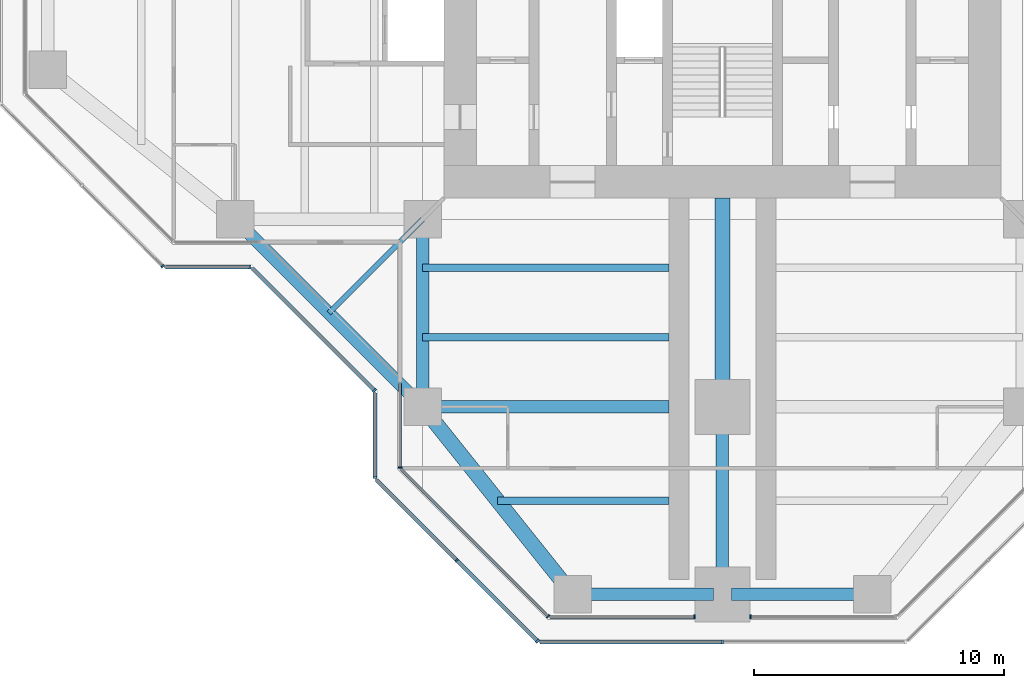
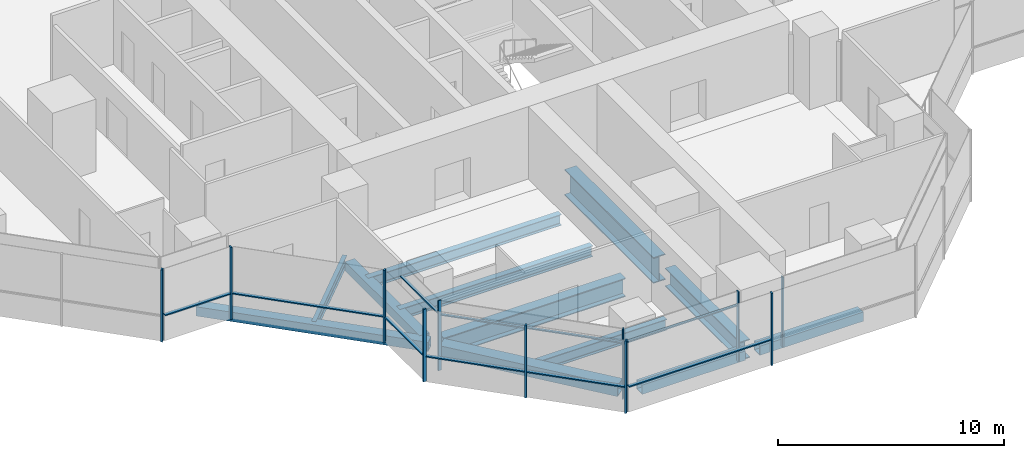
# One storey, part 2 of 17: 20 members, 12 beams, 10 elements without a shape of their own.
"""IFC4 building model written with IfcOpenShell, lengths in metres."""

from ifc_helpers import new_model, si_unit, direction, frame, origin, origin_2d, place, context, subcontext, project, spatial, rectangle, hollow_rectangle, i_section, extrude, material, material_profile, profile_set, type_object, element, aggregate, save


model = new_model("IFC4")

# Units and contexts
model_context = context("Model", 3, precision=1e-05, world=origin(), true_north=direction((0.0, 1.0)))
body_context = subcontext(model_context, "Body", "Model", "MODEL_VIEW")
ifc_project = project(units=[si_unit("LENGTHUNIT", "METRE"), si_unit("AREAUNIT", "SQUARE_METRE"), si_unit("VOLUMEUNIT", "CUBIC_METRE"), si_unit("PLANEANGLEUNIT", "RADIAN"), si_unit("MASSUNIT", "GRAM", prefix="KILO")], contexts=[model_context])

# Site, building, storey
site_placement = place(None, origin())
site = spatial("IfcSite", under=ifc_project, at=site_placement, CompositionType="ELEMENT")
building_placement = place(site_placement, origin())
building = spatial("IfcBuilding", under=site, at=building_placement, Name="Mizan Broadcast Tower", CompositionType="ELEMENT")
storey_placement = place(building_placement, frame((0.0, 0.0, 247.800048828125)))
storey = spatial("IfcBuildingStorey", under=building, at=storey_placement, Name="L58", CompositionType="ELEMENT", Elevation=247.800048828125)

# Beams
ifc_material_1 = material(Name="Steel S355", Category="steel")
ifc_material_profile_1 = material_profile(ifc_material_1, hollow_rectangle(XDim=0.5, YDim=0.5, WallThickness=0.030029296875, at=origin_2d()), Name="BOX 500x500x30")
ifc_profile_set_1 = profile_set([ifc_material_profile_1], Name="Steel S355")
beam_type_1 = type_object("IfcBeamType", Name="EDGE BEAM BOX 500x500x30", PredefinedType="SPANDREL", material=ifc_profile_set_1)
beam_1_placement = place(storey_placement, frame((-12.0, -12.449951171875, -0.380126953125), z_axis=(0.0, -1.0, 0.0), x_axis=(1.0, 0.0, 0.0)))
element("IfcBeam", 1, at=beam_1_placement, inside=storey, type_object=beam_type_1, Name="Edge beam BOX 500x500x30 L58 south arm", PredefinedType="SPANDREL", context=body_context, shape_type="SweptSolid", body=[
    extrude(hollow_rectangle(XDim=0.5, YDim=0.5, WallThickness=0.030029296875, at=origin_2d()), origin(), (0.0, 0.0, 1.0), 6.60009765625),
])
for number, where, z_axis, x_axis, name in (
    (2, (-5.639892578125, -27.0, -0.380126953125), (1.0, 0.0, 0.0), (0.0, 1.0, 0.0), "Edge beam BOX 500x500x30 L58 south arm"),
    (3, (5.639892578125, -27.0, -0.380126953125), (-1.0, 0.0, 0.0), (0.0, -1.0, 0.0), "Edge beam BOX 500x500x30 L58 south arm"),
):
    element("IfcBeam", number, at=place(storey_placement, frame(where, z_axis=z_axis, x_axis=x_axis)), inside=storey, type_object=beam_type_1, Name=name, PredefinedType="SPANDREL", context=body_context, shape_type="SweptSolid", body=[
        extrude(hollow_rectangle(XDim=0.5, YDim=0.5, WallThickness=0.030029296875, at=origin_2d()), origin(), (0.0, 0.0, 1.0), 5.27978515625),
    ])
beam_2_placement = place(storey_placement, frame((-19.5, -12.0, -0.380126953125), z_axis=(0.707106781187, -0.707106781187, 0.0), x_axis=(0.707106781187, 0.707106781187, 0.0)))
element("IfcBeam", 4, at=beam_2_placement, inside=storey, type_object=beam_type_1, Name="Winter garden edge beam L58 W", PredefinedType="SPANDREL", context=body_context, shape_type="SweptSolid", body=[
    extrude(hollow_rectangle(XDim=0.5, YDim=0.5, WallThickness=0.030029296875, at=origin_2d()), origin(), (0.0, 0.0, 1.0), 10.606689453125),
])
ifc_material_2 = material(Name="Steel S355", Category="steel")
ifc_material_profile_2 = material_profile(ifc_material_2, hollow_rectangle(XDim=0.60009765625, YDim=0.60009765625, WallThickness=0.030029296875, at=origin_2d()), Name="BOX 600x600x30")
ifc_profile_set_2 = profile_set([ifc_material_profile_2], Name="Steel S355")
beam_type_2 = type_object("IfcBeamType", Name="EDGE BEAM BOX 600x600x30", PredefinedType="SPANDREL", material=ifc_profile_set_2)
beam_3_placement = place(storey_placement, frame((-11.639892578125, -19.949951171875, -0.429931640625), z_axis=(0.624673911726, -0.780885717636, 0.0), x_axis=(0.780885717636, 0.624673911726, 0.0)))
element("IfcBeam", 5, at=beam_3_placement, inside=storey, type_object=beam_type_2, Name="Edge beam BOX 600x600x30 L58 south arm", PredefinedType="SPANDREL", context=body_context, shape_type="SweptSolid", body=[
    extrude(hollow_rectangle(XDim=0.60009765625, YDim=0.60009765625, WallThickness=0.030029296875, at=origin_2d()), origin(), (0.0, 0.0, 1.0), 8.4521484375),
])
ifc_material_3 = material(Name="Steel S460", Category="steel")
ifc_material_profile_3 = material_profile(ifc_material_3, i_section(OverallWidth=0.5, OverallDepth=1.0, WebThickness=0.02490234375, FlangeThickness=0.050048828125, at=origin_2d()), Name="WPG 1000x500")
ifc_profile_set_3 = profile_set([ifc_material_profile_3], Name="Steel S460")
beam_type_3 = type_object("IfcBeamType", Name="GIRDER WPG 1000x500", PredefinedType="BEAM", material=ifc_profile_set_3)
beam_4_placement = place(storey_placement, frame((0.0, -19.949951171875, -0.630126953125), z_axis=(0.0, -1.0, 0.0), x_axis=(1.0, 0.0, 0.0)))
element("IfcBeam", 6, at=beam_4_placement, inside=storey, type_object=beam_type_3, Name="Girder WPG 1000x500 L58 south arm", PredefinedType="BEAM", context=body_context, shape_type="SweptSolid", body=[
    extrude(i_section(OverallWidth=0.5, OverallDepth=1.0, WebThickness=0.02490234375, FlangeThickness=0.050048828125, at=origin_2d()), origin(), (0.0, 0.0, 1.0), 6.60009765625),
])
beam_5_placement = place(storey_placement, frame((-11.408935546875, -19.5, -0.630126953125), z_axis=(1.0, 0.0, 0.0), x_axis=(0.0, 1.0, 0.0)))
element("IfcBeam", 7, at=beam_5_placement, inside=storey, type_object=beam_type_3, Name="Girder WPG 1000x500 L58 south arm", PredefinedType="BEAM", context=body_context, shape_type="SweptSolid", body=[
    extrude(i_section(OverallWidth=0.5, OverallDepth=1.0, WebThickness=0.02490234375, FlangeThickness=0.050048828125, at=origin_2d()), origin(), (0.0, 0.0, 1.0), 9.259033203125),
])
ifc_material_4 = material(Name="Steel S460", Category="steel")
ifc_material_profile_4 = material_profile(ifc_material_4, i_section(OverallWidth=0.60009765625, OverallDepth=1.39990234375, WebThickness=0.02490234375, FlangeThickness=0.06005859375, at=origin_2d()), Name="WPG 1400x600")
ifc_profile_set_4 = profile_set([ifc_material_profile_4], Name="Steel S460")
beam_type_4 = type_object("IfcBeamType", Name="GIRDER WPG 1400x600", PredefinedType="BEAM", material=ifc_profile_set_4)
beam_6_placement = place(storey_placement, frame((0.0, -11.14990234375, -0.830078125), z_axis=(0.0, -1.0, 0.0), x_axis=(1.0, 0.0, 0.0)))
element("IfcBeam", 8, at=beam_6_placement, inside=storey, type_object=beam_type_4, Name="Girder WPG 1400x600 L58 south arm", PredefinedType="BEAM", context=body_context, shape_type="SweptSolid", body=[
    extrude(i_section(OverallWidth=0.60009765625, OverallDepth=1.39990234375, WebThickness=0.02490234375, FlangeThickness=0.06005859375, at=origin_2d()), origin(), (0.0, 0.0, 1.0), 7.84912109375),
])

# Curtain wall, member
ifc_material_5 = material(Name="Aluminium framed glazing", Category="aluminium")
curtain_wall_type_1 = type_object("IfcCurtainWallType", Name="INNER SKIN HIGH ZONE", PredefinedType="USERDEFINED", material=ifc_material_5)
curtain_wall_1_placement = place(storey_placement, origin())
curtain_wall_1 = element("IfcCurtainWall", 9, at=curtain_wall_1_placement, inside=storey, type_object=curtain_wall_type_1, Name="Inner skin high zone L58 S side", ObjectType="INNER SKIN HIGH ZONE", PredefinedType="USERDEFINED")
ifc_material_6 = material(Name="Aluminium, pale anodised", Category="aluminium")
ifc_material_profile_5 = material_profile(ifc_material_6, rectangle(XDim=0.159912109375, YDim=0.06005859375, at=origin_2d()), Name="MULLION 160x60")
ifc_profile_set_5 = profile_set([ifc_material_profile_5], Name="Aluminium, pale anodised")
member_type_1 = type_object("IfcMemberType", Name="INNER SKIN MULLION 60x160", PredefinedType="MULLION", material=ifc_profile_set_5)
member_1_placement = place(storey_placement, frame((-12.89990234375, -21.928466796875, 0.0), z_axis=(0.0, 0.0, 1.0), x_axis=(1.0, 0.0, 0.0)))
member_1 = element("IfcMember", 10, at=member_1_placement, type_object=member_type_1, Name="Inner skin high zone L58 S side mullion 2", PredefinedType="MULLION", context=body_context, shape_type="SweptSolid", body=[
    extrude(rectangle(XDim=0.159912109375, YDim=0.06005859375, at=origin_2d()), origin(), (0.0, 0.0, 1.0), 3.77001953125),
])

curtain_wall_2_placement = place(storey_placement, origin())
curtain_wall_2 = element("IfcCurtainWall", 11, at=curtain_wall_2_placement, inside=storey, type_object=curtain_wall_type_1, Name="Inner skin high zone L58 S chamfer", ObjectType="INNER SKIN HIGH ZONE", PredefinedType="USERDEFINED")
member_2_placement = place(storey_placement, frame((-6.979736328125, -27.87890625, 0.0), z_axis=(0.0, 0.0, 1.0), x_axis=(0.707106781187, 0.707106781187, 0.0)))
member_2 = element("IfcMember", 12, at=member_2_placement, type_object=member_type_1, Name="Inner skin high zone L58 S chamfer mullion 2", PredefinedType="MULLION", context=body_context, shape_type="SweptSolid", body=[
    extrude(rectangle(XDim=0.159912109375, YDim=0.06005859375, at=origin_2d()), origin(), (0.0, 0.0, 1.0), 3.77001953125),
])

curtain_wall_3_placement = place(storey_placement, origin())
curtain_wall_3 = element("IfcCurtainWall", 13, at=curtain_wall_3_placement, inside=storey, type_object=curtain_wall_type_1, Name="Inner skin high zone L58 S end", ObjectType="INNER SKIN HIGH ZONE", PredefinedType="USERDEFINED")
member_3_placement = place(storey_placement, frame((-1.1298828125, -27.89990234375, 0.0), z_axis=(0.0, 0.0, 1.0), x_axis=(0.0, 1.0, 0.0)))
member_3 = element("IfcMember", 14, at=member_3_placement, type_object=member_type_1, Name="Inner skin high zone L58 S end mullion 2", PredefinedType="MULLION", context=body_context, shape_type="SweptSolid", body=[
    extrude(rectangle(XDim=0.159912109375, YDim=0.06005859375, at=origin_2d()), origin(), (0.0, 0.0, 1.0), 3.77001953125),
])

curtain_wall_4_placement = place(storey_placement, origin())
curtain_wall_4 = element("IfcCurtainWall", 15, at=curtain_wall_4_placement, inside=storey, type_object=curtain_wall_type_1, Name="Inner skin high zone L58 S end", ObjectType="INNER SKIN HIGH ZONE", PredefinedType="USERDEFINED")
member_4_placement = place(storey_placement, frame((1.1298828125, -27.89990234375, 0.0), z_axis=(0.0, 0.0, 1.0), x_axis=(0.0, 1.0, 0.0)))
member_4 = element("IfcMember", 16, at=member_4_placement, type_object=member_type_1, Name="Inner skin high zone L58 S end mullion 1", PredefinedType="MULLION", context=body_context, shape_type="SweptSolid", body=[
    extrude(rectangle(XDim=0.159912109375, YDim=0.06005859375, at=origin_2d()), origin(), (0.0, 0.0, 1.0), 3.77001953125),
])
aggregate(curtain_wall_4, [member_4])

# Member
ifc_material_7 = material(Name="Aluminium, pale anodised", Category="aluminium")
ifc_material_profile_6 = material_profile(ifc_material_7, rectangle(XDim=0.1201171875, YDim=0.06005859375, at=origin_2d()), Name="TRANSOM 120x60")
ifc_profile_set_6 = profile_set([ifc_material_profile_6], Name="Aluminium, pale anodised")
member_type_2 = type_object("IfcMemberType", Name="INNER SKIN TRANSOM 60x120", PredefinedType="USERDEFINED", material=ifc_profile_set_6)
member_5_placement = place(storey_placement, frame((-12.89990234375, -18.56005859375, 3.030029296875), z_axis=(0.0, -1.0, 0.0), x_axis=(1.0, 0.0, 0.0)))
member_5 = element("IfcMember", 17, at=member_5_placement, type_object=member_type_2, Name="Inner skin high zone L58 S side transom 1.1", ObjectType="TRANSOM", PredefinedType="USERDEFINED", context=body_context, shape_type="SweptSolid", body=[
    extrude(rectangle(XDim=0.1201171875, YDim=0.06005859375, at=origin_2d()), origin(), (0.0, 0.0, 1.0), 3.338623046875),
])

aggregate(curtain_wall_1, [member_1, member_5])

member_6_placement = place(storey_placement, frame((-12.857666015625, -22.0009765625, 3.030029296875), z_axis=(0.707106781187, -0.707106781187, 0.0), x_axis=(0.707106781187, 0.707106781187, 0.0)))
member_6 = element("IfcMember", 18, at=member_6_placement, type_object=member_type_2, Name="Inner skin high zone L58 S chamfer transom 1.1", ObjectType="TRANSOM", PredefinedType="USERDEFINED", context=body_context, shape_type="SweptSolid", body=[
    extrude(rectangle(XDim=0.1201171875, YDim=0.06005859375, at=origin_2d()), origin(), (0.0, 0.0, 1.0), 8.28271484375),
])

aggregate(curtain_wall_2, [member_2, member_6])

member_7_placement = place(storey_placement, frame((-6.898681640625, -27.89990234375, 3.030029296875), z_axis=(1.0, 0.0, 0.0), x_axis=(0.0, 1.0, 0.0)))
member_7 = element("IfcMember", 19, at=member_7_placement, type_object=member_type_2, Name="Inner skin high zone L58 S end transom 1.1", ObjectType="TRANSOM", PredefinedType="USERDEFINED", context=body_context, shape_type="SweptSolid", body=[
    extrude(rectangle(XDim=0.1201171875, YDim=0.06005859375, at=origin_2d()), origin(), (0.0, 0.0, 1.0), 5.73876953125),
])

aggregate(curtain_wall_3, [member_3, member_7])

# Curtain wall, member
ifc_material_8 = material(Name="Aluminium framed glazing", Category="aluminium")
curtain_wall_type_2 = type_object("IfcCurtainWallType", Name="OUTER SKIN", PredefinedType="USERDEFINED", material=ifc_material_8)
curtain_wall_5_placement = place(storey_placement, origin())
curtain_wall_5 = element("IfcCurtainWall", 20, at=curtain_wall_5_placement, inside=storey, type_object=curtain_wall_type_2, Name="Outer skin L58 W chamfer", ObjectType="OUTER SKIN", PredefinedType="USERDEFINED")
ifc_material_9 = material(Name="Aluminium, pale anodised", Category="aluminium")
ifc_material_profile_7 = material_profile(ifc_material_9, rectangle(XDim=0.159912109375, YDim=0.080078125, at=origin_2d()), Name="MULLION 160x80")
ifc_profile_set_7 = profile_set([ifc_material_profile_7], Name="Aluminium, pale anodised")
member_type_3 = type_object("IfcMemberType", Name="OUTER SKIN MULLION 80x160", PredefinedType="MULLION", material=ifc_profile_set_7)
member_8_placement = place(storey_placement, frame((-22.401123046875, -13.871826171875, 0.0), z_axis=(0.0, 0.0, 1.0), x_axis=(0.707106781187, 0.707106781187, 0.0)))
member_8 = element("IfcMember", 21, at=member_8_placement, type_object=member_type_3, Name="Outer skin L58 W chamfer mullion 3", PredefinedType="MULLION", context=body_context, shape_type="SweptSolid", body=[
    extrude(rectangle(XDim=0.159912109375, YDim=0.080078125, at=origin_2d()), origin(), (0.0, 0.0, 1.0), 3.89990234375),
])
aggregate(curtain_wall_5, [member_8])

curtain_wall_6_placement = place(storey_placement, origin())
curtain_wall_6 = element("IfcCurtainWall", 22, at=curtain_wall_6_placement, inside=storey, type_object=curtain_wall_type_2, Name="Outer skin L58 W side", ObjectType="OUTER SKIN", PredefinedType="USERDEFINED")
member_9_placement = place(storey_placement, frame((-18.912841796875, -13.89990234375, 0.0), z_axis=(0.0, 0.0, 1.0), x_axis=(0.0, 1.0, 0.0)))
member_9 = element("IfcMember", 23, at=member_9_placement, type_object=member_type_3, Name="Outer skin L58 W side mullion 2", PredefinedType="MULLION", context=body_context, shape_type="SweptSolid", body=[
    extrude(rectangle(XDim=0.159912109375, YDim=0.080078125, at=origin_2d()), origin(), (0.0, 0.0, 1.0), 3.89990234375),
])

curtain_wall_7_placement = place(storey_placement, origin())
curtain_wall_7 = element("IfcCurtainWall", 24, at=curtain_wall_7_placement, inside=storey, type_object=curtain_wall_type_2, Name="Outer skin L58 W chamfer", ObjectType="OUTER SKIN", PredefinedType="USERDEFINED")
member_10_placement = place(storey_placement, frame((-13.92822265625, -18.844482421875, 0.0), z_axis=(0.0, 0.0, 1.0), x_axis=(0.707106781187, 0.707106781187, 0.0)))
member_10 = element("IfcMember", 25, at=member_10_placement, type_object=member_type_3, Name="Outer skin L58 W chamfer mullion 2", PredefinedType="MULLION", context=body_context, shape_type="SweptSolid", body=[
    extrude(rectangle(XDim=0.159912109375, YDim=0.080078125, at=origin_2d()), origin(), (0.0, 0.0, 1.0), 3.89990234375),
])

curtain_wall_8_placement = place(storey_placement, origin())
curtain_wall_8 = element("IfcCurtainWall", 26, at=curtain_wall_8_placement, inside=storey, type_object=curtain_wall_type_2, Name="Outer skin L58 S side", ObjectType="OUTER SKIN", PredefinedType="USERDEFINED")
member_11_placement = place(storey_placement, frame((-13.89990234375, -22.332763671875, 0.0), z_axis=(0.0, 0.0, 1.0), x_axis=(1.0, 0.0, 0.0)))
member_11 = element("IfcMember", 27, at=member_11_placement, type_object=member_type_3, Name="Outer skin L58 S side mullion 2", PredefinedType="MULLION", context=body_context, shape_type="SweptSolid", body=[
    extrude(rectangle(XDim=0.159912109375, YDim=0.080078125, at=origin_2d()), origin(), (0.0, 0.0, 1.0), 3.89990234375),
])

# Curtain wall, members
curtain_wall_9_placement = place(storey_placement, origin())
curtain_wall_9 = element("IfcCurtainWall", 28, at=curtain_wall_9_placement, inside=storey, type_object=curtain_wall_type_2, Name="Outer skin L58 S chamfer", ObjectType="OUTER SKIN", PredefinedType="USERDEFINED")
member_12_placement = place(storey_placement, frame((-10.636474609375, -25.636474609375, 0.0), z_axis=(0.0, 0.0, 1.0), x_axis=(0.707106781187, 0.707106781187, 0.0)))
member_12 = element("IfcMember", 29, at=member_12_placement, type_object=member_type_3, Name="Outer skin L58 S chamfer mullion 2", PredefinedType="MULLION", context=body_context, shape_type="SweptSolid", body=[
    extrude(rectangle(XDim=0.159912109375, YDim=0.080078125, at=origin_2d()), origin(), (0.0, 0.0, 1.0), 3.89990234375),
])
member_13_placement = place(storey_placement, frame((-7.401123046875, -28.871826171875, 0.0), z_axis=(0.0, 0.0, 1.0), x_axis=(0.707106781187, 0.707106781187, 0.0)))
member_13 = element("IfcMember", 30, at=member_13_placement, type_object=member_type_3, Name="Outer skin L58 S chamfer mullion 3", PredefinedType="MULLION", context=body_context, shape_type="SweptSolid", body=[
    extrude(rectangle(XDim=0.159912109375, YDim=0.080078125, at=origin_2d()), origin(), (0.0, 0.0, 1.0), 3.89990234375),
])

# Curtain wall, member
curtain_wall_10_placement = place(storey_placement, origin())
curtain_wall_10 = element("IfcCurtainWall", 31, at=curtain_wall_10_placement, inside=storey, type_object=curtain_wall_type_2, Name="Outer skin L58 S end", ObjectType="OUTER SKIN", PredefinedType="USERDEFINED")
member_14_placement = place(storey_placement, frame((0.0, -28.89990234375, 0.0), z_axis=(0.0, 0.0, 1.0), x_axis=(0.0, 1.0, 0.0)))
member_14 = element("IfcMember", 32, at=member_14_placement, type_object=member_type_3, Name="Outer skin L58 S end mullion 2", PredefinedType="MULLION", context=body_context, shape_type="SweptSolid", body=[
    extrude(rectangle(XDim=0.159912109375, YDim=0.080078125, at=origin_2d()), origin(), (0.0, 0.0, 1.0), 3.89990234375),
])

# Member
ifc_material_10 = material(Name="Aluminium, pale anodised", Category="aluminium")
ifc_material_profile_8 = material_profile(ifc_material_10, rectangle(XDim=0.159912109375, YDim=0.06005859375, at=origin_2d()), Name="TRANSOM 160x60")
ifc_profile_set_8 = profile_set([ifc_material_profile_8], Name="Aluminium, pale anodised")
member_type_4 = type_object("IfcMemberType", Name="OUTER SKIN TRANSOM 60x160", PredefinedType="USERDEFINED", material=ifc_profile_set_8)
member_15_placement = place(storey_placement, frame((-22.292724609375, -13.89990234375, 1.39990234375), z_axis=(1.0, 0.0, 0.0), x_axis=(0.0, 1.0, 0.0)))
member_15 = element("IfcMember", 33, at=member_15_placement, type_object=member_type_4, Name="Outer skin L58 W side transom 1.1", ObjectType="TRANSOM", PredefinedType="USERDEFINED", context=body_context, shape_type="SweptSolid", body=[
    extrude(rectangle(XDim=0.159912109375, YDim=0.06005859375, at=origin_2d()), origin(), (0.0, 0.0, 1.0), 3.33984375),
])

aggregate(curtain_wall_6, [member_9, member_15])

member_16_placement = place(storey_placement, frame((-18.816162109375, -13.95654296875, 1.39990234375), z_axis=(0.707106781187, -0.707106781187, 0.0), x_axis=(0.707106781187, 0.707106781187, 0.0)))
member_16 = element("IfcMember", 34, at=member_16_placement, type_object=member_type_4, Name="Outer skin L58 W chamfer transom 1.1", ObjectType="TRANSOM", PredefinedType="USERDEFINED", context=body_context, shape_type="SweptSolid", body=[
    extrude(rectangle(XDim=0.159912109375, YDim=0.06005859375, at=origin_2d()), origin(), (0.0, 0.0, 1.0), 6.87255859375),
])

aggregate(curtain_wall_7, [member_10, member_16])

member_17_placement = place(storey_placement, frame((-13.89990234375, -18.952880859375, 1.39990234375), z_axis=(0.0, -1.0, 0.0), x_axis=(1.0, 0.0, 0.0)))
member_17 = element("IfcMember", 35, at=member_17_placement, type_object=member_type_4, Name="Outer skin L58 S side transom 1.1", ObjectType="TRANSOM", PredefinedType="USERDEFINED", context=body_context, shape_type="SweptSolid", body=[
    extrude(rectangle(XDim=0.159912109375, YDim=0.06005859375, at=origin_2d()), origin(), (0.0, 0.0, 1.0), 3.33984375),
])

aggregate(curtain_wall_8, [member_11, member_17])

member_18_placement = place(storey_placement, frame((-13.843505859375, -22.429443359375, 1.39990234375), z_axis=(0.707106781187, -0.707106781187, 0.0), x_axis=(0.707106781187, 0.707106781187, 0.0)))
member_18 = element("IfcMember", 36, at=member_18_placement, type_object=member_type_4, Name="Outer skin L58 S chamfer transom 1.1", ObjectType="TRANSOM", PredefinedType="USERDEFINED", context=body_context, shape_type="SweptSolid", body=[
    extrude(rectangle(XDim=0.159912109375, YDim=0.06005859375, at=origin_2d()), origin(), (0.0, 0.0, 1.0), 4.495361328125),
])

member_19_placement = place(storey_placement, frame((-10.608154296875, -25.664794921875, 1.39990234375), z_axis=(0.707106781187, -0.707106781187, 0.0), x_axis=(0.707106781187, 0.707106781187, 0.0)))
member_19 = element("IfcMember", 37, at=member_19_placement, type_object=member_type_4, Name="Outer skin L58 S chamfer transom 2.1", ObjectType="TRANSOM", PredefinedType="USERDEFINED", context=body_context, shape_type="SweptSolid", body=[
    extrude(rectangle(XDim=0.159912109375, YDim=0.06005859375, at=origin_2d()), origin(), (0.0, 0.0, 1.0), 4.495361328125),
])

aggregate(curtain_wall_9, [member_12, member_13, member_18, member_19])

member_20_placement = place(storey_placement, frame((-7.292724609375, -28.89990234375, 1.39990234375), z_axis=(1.0, 0.0, 0.0), x_axis=(0.0, 1.0, 0.0)))
member_20 = element("IfcMember", 38, at=member_20_placement, type_object=member_type_4, Name="Outer skin L58 S end transom 1.1", ObjectType="TRANSOM", PredefinedType="USERDEFINED", context=body_context, shape_type="SweptSolid", body=[
    extrude(rectangle(XDim=0.159912109375, YDim=0.06005859375, at=origin_2d()), origin(), (0.0, 0.0, 1.0), 7.252685546875),
])

aggregate(curtain_wall_10, [member_14, member_20])

# Beams
ifc_material_11 = material(Name="Steel S355", Category="steel")
ifc_material_profile_9 = material_profile(ifc_material_11, i_section(OverallWidth=0.300048828125, OverallDepth=0.590087890625, WebThickness=0.012939453125, FlangeThickness=0.02490234375, FilletRadius=0.027099609375, at=origin_2d()), Name="HEA 600")
ifc_profile_set_9 = profile_set([ifc_material_profile_9], Name="Steel S355")
beam_type_5 = type_object("IfcBeamType", Name="SECONDARY BEAM HEA 600", PredefinedType="JOIST", material=ifc_profile_set_9)
for number, where, z_axis, x_axis, name in (
    (39, (-12.0, -13.933349609375, -0.425048828125), (1.0, 0.0, 0.0), (0.0, 1.0, 0.0), "Secondary beam HEA 600 L58 south arm"),
    (40, (-12.0, -16.716552734375, -0.425048828125), (1.0, 0.0, 0.0), (0.0, 1.0, 0.0), "Secondary beam HEA 600 L58 south arm"),
):
    element("IfcBeam", number, at=place(storey_placement, frame(where, z_axis=z_axis, x_axis=x_axis)), inside=storey, type_object=beam_type_5, Name=name, PredefinedType="JOIST", context=body_context, shape_type="SweptSolid", body=[
        extrude(i_section(OverallWidth=0.300048828125, OverallDepth=0.590087890625, WebThickness=0.012939453125, FlangeThickness=0.02490234375, FilletRadius=0.027099609375, at=origin_2d()), origin(), (0.0, 0.0, 1.0), 9.85009765625),
    ])
beam_7_placement = place(storey_placement, frame((-9.0, -23.25, -0.425048828125), z_axis=(1.0, 0.0, 0.0), x_axis=(0.0, 1.0, 0.0)))
element("IfcBeam", 41, at=beam_7_placement, inside=storey, type_object=beam_type_5, Name="Secondary beam HEA 600 L58 south arm", PredefinedType="JOIST", context=body_context, shape_type="SweptSolid", body=[
    extrude(i_section(OverallWidth=0.300048828125, OverallDepth=0.590087890625, WebThickness=0.012939453125, FlangeThickness=0.02490234375, FilletRadius=0.027099609375, at=origin_2d()), origin(), (0.0, 0.0, 1.0), 6.85009765625),
])
ifc_material_12 = material(Name="Steel S355", Category="steel")
ifc_material_profile_10 = material_profile(ifc_material_12, i_section(OverallWidth=0.2099609375, OverallDepth=0.550048828125, WebThickness=0.010986328125, FlangeThickness=0.01708984375, FilletRadius=0.02392578125, at=origin_2d()), Name="IPE 550")
ifc_profile_set_10 = profile_set([ifc_material_profile_10], Name="Steel S355")
beam_type_6 = type_object("IfcBeamType", Name="SECONDARY BEAM IPE 550", PredefinedType="JOIST", material=ifc_profile_set_10)
beam_8_placement = place(storey_placement, frame((-12.0, -12.0, -0.405029296875), z_axis=(-0.707106781187, -0.707106781187, 0.0), x_axis=(0.707106781187, -0.707106781187, 0.0)))
element("IfcBeam", 42, at=beam_8_placement, inside=storey, type_object=beam_type_6, Name="Winter garden beam L58 W", PredefinedType="JOIST", context=body_context, shape_type="SweptSolid", body=[
    extrude(i_section(OverallWidth=0.2099609375, OverallDepth=0.550048828125, WebThickness=0.010986328125, FlangeThickness=0.01708984375, FilletRadius=0.02392578125, at=origin_2d()), origin(), (0.0, 0.0, 1.0), 5.30322265625),
])

save(model, "model.ifc")
